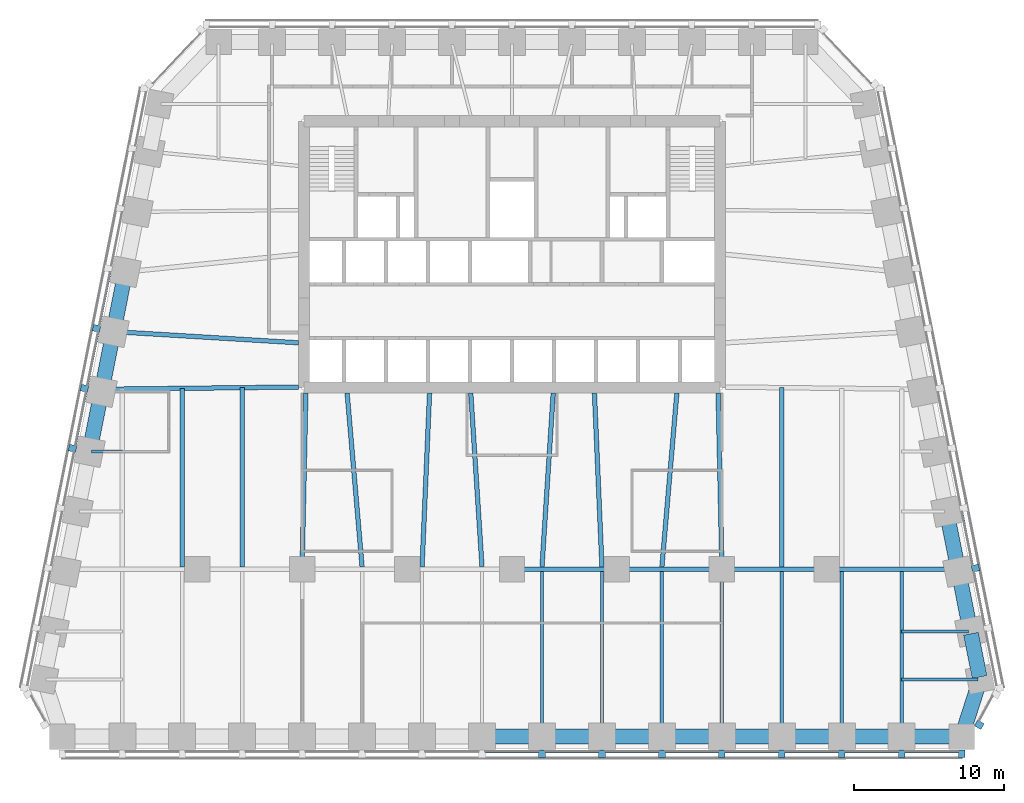
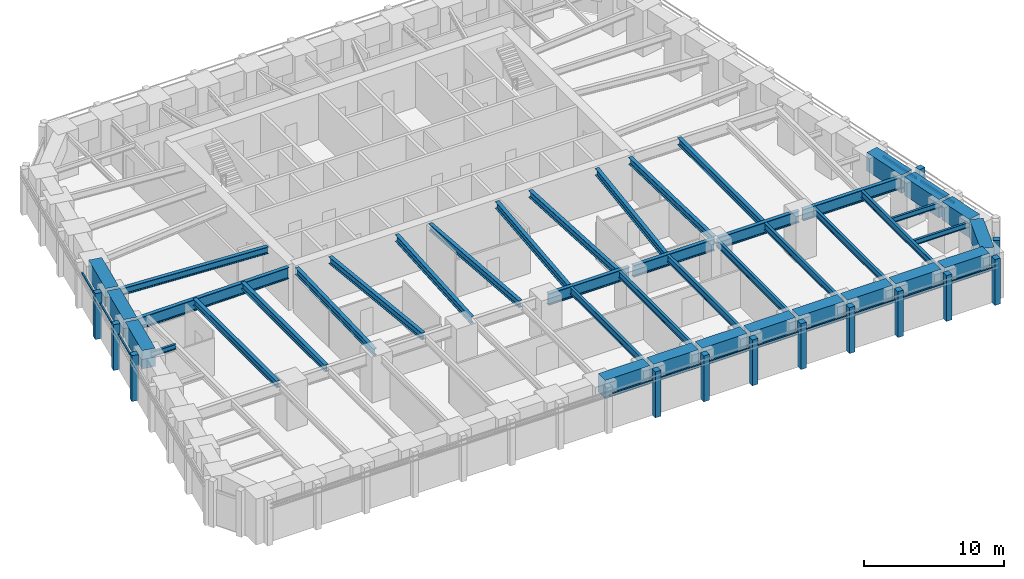
# One storey, part 2 of 9: 42 beams, 26 members, 4 elements without a shape of their own.
"""IFC4 building model written with IfcOpenShell, lengths in metres."""

from ifc_helpers import new_model, si_unit, direction, frame, origin, origin_2d, place, context, subcontext, project, spatial, rectangle, i_section, extrude, material, material_profile, profile_set, type_object, element, aggregate, save


model = new_model("IFC4")

# Units and contexts
model_context = context("Model", 3, precision=1e-05, world=origin(), true_north=direction((0.0, 1.0)))
body_context = subcontext(model_context, "Body", "Model", "MODEL_VIEW")
ifc_project = project(units=[si_unit("LENGTHUNIT", "METRE"), si_unit("AREAUNIT", "SQUARE_METRE"), si_unit("VOLUMEUNIT", "CUBIC_METRE"), si_unit("PLANEANGLEUNIT", "RADIAN"), si_unit("MASSUNIT", "GRAM", prefix="KILO")], contexts=[model_context])

# Site, building, storey
site_placement = place(None, origin())
site = spatial("IfcSite", under=ifc_project, at=site_placement, CompositionType="ELEMENT")
building_placement = place(site_placement, origin())
building = spatial("IfcBuilding", under=site, at=building_placement, Name="Isbrekke Arena Tower", CompositionType="ELEMENT")
storey_placement = place(building_placement, frame((0.0, 0.0, 131.0)))
storey = spatial("IfcBuildingStorey", under=building, at=storey_placement, Name="L29", CompositionType="ELEMENT", Elevation=131.0)

# Beams
ifc_material_1 = material(Name="Steel S355", Category="steel")
ifc_material_profile_1 = material_profile(ifc_material_1, i_section(OverallWidth=0.219970703125, OverallDepth=0.60009765625, WebThickness=0.011962890625, FlangeThickness=0.01904296875, FilletRadius=0.02392578125, at=origin_2d()), Name="IPE 600")
ifc_profile_set_1 = profile_set([ifc_material_profile_1], Name="Steel S355")
beam_type_1 = type_object("IfcBeamType", Name="B1 IPE 600", PredefinedType="BEAM", material=ifc_profile_set_1)
for number, where, z_axis, x_axis, name in (
    (1, (2.0, -17.02490234375, 3.550048828125), (0.0, 1.0, 0.0), (-1.0, 0.0, 0.0), "B1 beam S-S09 L29"),
    (2, (6.0, -17.02490234375, 3.550048828125), (0.0, 1.0, 0.0), (-1.0, 0.0, 0.0), "B1 beam S-S10 L29"),
    (3, (10.0, -17.02490234375, 3.550048828125), (0.0, 1.0, 0.0), (-1.0, 0.0, 0.0), "B1 beam S-S11 L29"),
):
    element("IfcBeam", number, at=place(storey_placement, frame(where, z_axis=z_axis, x_axis=x_axis)), inside=storey, type_object=beam_type_1, Name=name, PredefinedType="BEAM", context=body_context, shape_type="SweptSolid", body=[
        extrude(i_section(OverallWidth=0.219970703125, OverallDepth=0.60009765625, WebThickness=0.011962890625, FlangeThickness=0.01904296875, FilletRadius=0.02392578125, at=origin_2d()), origin(), (0.0, 0.0, 1.0), 10.8740234375),
    ])
beam_1_placement = place(storey_placement, frame((14.0, -17.02490234375, 3.550048828125), z_axis=(0.0, 1.0, 0.0), x_axis=(-1.0, 0.0, 0.0)))
element("IfcBeam", 4, at=beam_1_placement, inside=storey, type_object=beam_type_1, Name="B1 beam S-S12 L29", PredefinedType="BEAM", context=body_context, shape_type="SweptSolid", body=[
    extrude(i_section(OverallWidth=0.219970703125, OverallDepth=0.60009765625, WebThickness=0.011962890625, FlangeThickness=0.01904296875, FilletRadius=0.02392578125, at=origin_2d()), origin(), (0.0, 0.0, 1.0), 10.875),
])
for number, where, z_axis, x_axis, name in (
    (5, (18.0, -17.02490234375, 3.550048828125), (0.0, 1.0, 0.0), (-1.0, 0.0, 0.0), "B1 beam S-S13 L29"),
    (6, (22.0, -17.02490234375, 3.550048828125), (0.0, 1.0, 0.0), (-1.0, 0.0, 0.0), "B1 beam S-S14 L29"),
    (7, (26.0, -17.02490234375, 3.550048828125), (0.0, 1.0, 0.0), (-1.0, 0.0, 0.0), "B1 beam S-S15 L29"),
):
    element("IfcBeam", number, at=place(storey_placement, frame(where, z_axis=z_axis, x_axis=x_axis)), inside=storey, type_object=beam_type_1, Name=name, PredefinedType="BEAM", context=body_context, shape_type="SweptSolid", body=[
        extrude(i_section(OverallWidth=0.219970703125, OverallDepth=0.60009765625, WebThickness=0.011962890625, FlangeThickness=0.01904296875, FilletRadius=0.02392578125, at=origin_2d()), origin(), (0.0, 0.0, 1.0), 10.8740234375),
    ])
ifc_material_2 = material(Name="Steel S355", Category="steel")
ifc_material_profile_2 = material_profile(ifc_material_2, i_section(OverallWidth=0.18994140625, OverallDepth=0.449951171875, WebThickness=0.009521484375, FlangeThickness=0.0146484375, FilletRadius=0.02099609375, at=origin_2d()), Name="IPE 450")
ifc_profile_set_2 = profile_set([ifc_material_profile_2], Name="Steel S355")
beam_type_2 = type_object("IfcBeamType", Name="B2 IPE 450", PredefinedType="BEAM", material=ifc_profile_set_2)
beam_2_placement = place(storey_placement, frame((31.079345703125, -13.352783203125, 3.625), z_axis=(-1.0, 0.0, 0.0), x_axis=(0.0, -1.0, 0.0)))
element("IfcBeam", 8, at=beam_2_placement, inside=storey, type_object=beam_type_2, Name="B2 beam E-E01 L29", PredefinedType="BEAM", context=body_context, shape_type="SweptSolid", body=[
    extrude(i_section(OverallWidth=0.18994140625, OverallDepth=0.449951171875, WebThickness=0.009521484375, FlangeThickness=0.0146484375, FilletRadius=0.02099609375, at=origin_2d()), origin(), (0.0, 0.0, 1.0), 5.079345703125),
])
beam_3_placement = place(storey_placement, frame((30.44091796875, -10.161865234375, 3.625), z_axis=(-1.0, 0.0, 0.0), x_axis=(0.0, -1.0, 0.0)))
element("IfcBeam", 9, at=beam_3_placement, inside=storey, type_object=beam_type_2, Name="B2 beam E-E02 L29", PredefinedType="BEAM", context=body_context, shape_type="SweptSolid", body=[
    extrude(i_section(OverallWidth=0.18994140625, OverallDepth=0.449951171875, WebThickness=0.009521484375, FlangeThickness=0.0146484375, FilletRadius=0.02099609375, at=origin_2d()), origin(), (0.0, 0.0, 1.0), 4.44091796875),
])
beam_4_placement = place(storey_placement, frame((-28.041015625, 1.838134765625, 3.625), z_axis=(1.0, 0.0, 0.0), x_axis=(0.0, 1.0, 0.0)))
element("IfcBeam", 10, at=beam_4_placement, inside=storey, type_object=beam_type_2, Name="B2 beam E-W07 L29", PredefinedType="BEAM", context=body_context, shape_type="SweptSolid", body=[
    extrude(i_section(OverallWidth=0.18994140625, OverallDepth=0.449951171875, WebThickness=0.009521484375, FlangeThickness=0.0146484375, FilletRadius=0.02099609375, at=origin_2d()), origin(), (0.0, 0.0, 1.0), 2.041015625),
])
ifc_material_3 = material(Name="Steel S355", Category="steel")
ifc_material_profile_3 = material_profile(ifc_material_3, i_section(OverallWidth=0.300048828125, OverallDepth=0.60009765625, WebThickness=0.015380859375, FlangeThickness=0.030029296875, FilletRadius=0.027099609375, at=origin_2d()), Name="HEB 600")
ifc_profile_set_3 = profile_set([ifc_material_profile_3], Name="Steel S355")
beam_type_3 = type_object("IfcBeamType", Name="B7 HEB 600", PredefinedType="BEAM", material=ifc_profile_set_3)
beam_5_placement = place(storey_placement, frame((-22.0, -5.84912109375, 3.550048828125), z_axis=(0.0, 1.0, 0.0), x_axis=(-1.0, 0.0, 0.0)))
element("IfcBeam", 11, at=beam_5_placement, inside=storey, type_object=beam_type_3, Name="B7 beam C-M02 L29", PredefinedType="BEAM", context=body_context, shape_type="SweptSolid", body=[
    extrude(i_section(OverallWidth=0.300048828125, OverallDepth=0.60009765625, WebThickness=0.015380859375, FlangeThickness=0.030029296875, FilletRadius=0.027099609375, at=origin_2d()), origin(), (0.0, 0.0, 1.0), 11.91064453125),
])
beam_6_placement = place(storey_placement, frame((-18.0, -5.84912109375, 3.550048828125), z_axis=(0.0, 1.0, 0.0), x_axis=(-1.0, 0.0, 0.0)))
element("IfcBeam", 12, at=beam_6_placement, inside=storey, type_object=beam_type_3, Name="B7 beam C-M03 L29", PredefinedType="BEAM", context=body_context, shape_type="SweptSolid", body=[
    extrude(i_section(OverallWidth=0.300048828125, OverallDepth=0.60009765625, WebThickness=0.015380859375, FlangeThickness=0.030029296875, FilletRadius=0.027099609375, at=origin_2d()), origin(), (0.0, 0.0, 1.0), 11.956298828125),
])
beam_7_placement = place(storey_placement, frame((-14.0, -5.8466796875, 3.550048828125), z_axis=(0.021552887044, 0.999767709551, 0.0), x_axis=(-0.999767709551, 0.021552887044, 0.0)))
element("IfcBeam", 13, at=beam_7_placement, inside=storey, type_object=beam_type_3, Name="B7 beam C-M04 L29", PredefinedType="BEAM", context=body_context, shape_type="SweptSolid", body=[
    extrude(i_section(OverallWidth=0.300048828125, OverallDepth=0.60009765625, WebThickness=0.015380859375, FlangeThickness=0.030029296875, FilletRadius=0.027099609375, at=origin_2d()), origin(), (0.0, 0.0, 1.0), 11.599365234375),
])
beam_8_placement = place(storey_placement, frame((-10.001220703125, -5.836181640625, 3.550048828125), z_axis=(-0.085885827104, 0.996304985786, 0.0), x_axis=(-0.996304985786, -0.085885827104, 0.0)))
element("IfcBeam", 14, at=beam_8_placement, inside=storey, type_object=beam_type_3, Name="B7 beam C-M05 L29", PredefinedType="BEAM", context=body_context, shape_type="SweptSolid", body=[
    extrude(i_section(OverallWidth=0.300048828125, OverallDepth=0.60009765625, WebThickness=0.015380859375, FlangeThickness=0.030029296875, FilletRadius=0.027099609375, at=origin_2d()), origin(), (0.0, 0.0, 1.0), 11.629150390625),
])
beam_9_placement = place(storey_placement, frame((-5.999755859375, -5.842529296875, 3.550048828125), z_axis=(0.043070161667, 0.999072050041, 0.0), x_axis=(-0.999072050041, 0.043070161667, 0.0)))
element("IfcBeam", 15, at=beam_9_placement, inside=storey, type_object=beam_type_3, Name="B7 beam C-M06 L29", PredefinedType="BEAM", context=body_context, shape_type="SweptSolid", body=[
    extrude(i_section(OverallWidth=0.300048828125, OverallDepth=0.60009765625, WebThickness=0.015380859375, FlangeThickness=0.030029296875, FilletRadius=0.027099609375, at=origin_2d()), origin(), (0.0, 0.0, 1.0), 11.603271484375),
])
for number, where, z_axis, x_axis, name in (
    (16, (-2.000732421875, -5.83935546875, 3.550048828125), (-0.064516666031, 0.997916629686, 0.0), (-0.997916629686, -0.064516666031, 0.0), "B7 beam C-M07 L29"),
    (17, (2.000732421875, -5.83935546875, 3.550048828125), (0.064516666031, 0.997916629686, 0.0), (-0.997916629686, 0.064516666031, 0.0), "B7 beam C-M08 L29"),
):
    element("IfcBeam", number, at=place(storey_placement, frame(where, z_axis=z_axis, x_axis=x_axis)), inside=storey, type_object=beam_type_3, Name=name, PredefinedType="BEAM", context=body_context, shape_type="SweptSolid", body=[
        extrude(i_section(OverallWidth=0.300048828125, OverallDepth=0.60009765625, WebThickness=0.015380859375, FlangeThickness=0.030029296875, FilletRadius=0.027099609375, at=origin_2d()), origin(), (0.0, 0.0, 1.0), 11.613525390625),
    ])
beam_10_placement = place(storey_placement, frame((5.999755859375, -5.842529296875, 3.550048828125), z_axis=(-0.043070161667, 0.999072050041, 0.0), x_axis=(-0.999072050041, -0.043070161667, 0.0)))
element("IfcBeam", 18, at=beam_10_placement, inside=storey, type_object=beam_type_3, Name="B7 beam C-M09 L29", PredefinedType="BEAM", context=body_context, shape_type="SweptSolid", body=[
    extrude(i_section(OverallWidth=0.300048828125, OverallDepth=0.60009765625, WebThickness=0.015380859375, FlangeThickness=0.030029296875, FilletRadius=0.027099609375, at=origin_2d()), origin(), (0.0, 0.0, 1.0), 11.603271484375),
])
beam_11_placement = place(storey_placement, frame((10.001220703125, -5.836181640625, 3.550048828125), z_axis=(0.085885827104, 0.996304985786, 0.0), x_axis=(-0.996304985786, 0.085885827104, 0.0)))
element("IfcBeam", 19, at=beam_11_placement, inside=storey, type_object=beam_type_3, Name="B7 beam C-M10 L29", PredefinedType="BEAM", context=body_context, shape_type="SweptSolid", body=[
    extrude(i_section(OverallWidth=0.300048828125, OverallDepth=0.60009765625, WebThickness=0.015380859375, FlangeThickness=0.030029296875, FilletRadius=0.027099609375, at=origin_2d()), origin(), (0.0, 0.0, 1.0), 11.629150390625),
])
beam_12_placement = place(storey_placement, frame((14.0, -5.8466796875, 3.550048828125), z_axis=(-0.021552887044, 0.999767709551, 0.0), x_axis=(-0.999767709551, -0.021552887044, 0.0)))
element("IfcBeam", 20, at=beam_12_placement, inside=storey, type_object=beam_type_3, Name="B7 beam C-M11 L29", PredefinedType="BEAM", context=body_context, shape_type="SweptSolid", body=[
    extrude(i_section(OverallWidth=0.300048828125, OverallDepth=0.60009765625, WebThickness=0.015380859375, FlangeThickness=0.030029296875, FilletRadius=0.027099609375, at=origin_2d()), origin(), (0.0, 0.0, 1.0), 11.599365234375),
])
beam_13_placement = place(storey_placement, frame((18.0, -5.84912109375, 3.550048828125), z_axis=(0.0, 1.0, 0.0), x_axis=(-1.0, 0.0, 0.0)))
element("IfcBeam", 21, at=beam_13_placement, inside=storey, type_object=beam_type_3, Name="B7 beam C-M12 L29", PredefinedType="BEAM", context=body_context, shape_type="SweptSolid", body=[
    extrude(i_section(OverallWidth=0.300048828125, OverallDepth=0.60009765625, WebThickness=0.015380859375, FlangeThickness=0.030029296875, FilletRadius=0.027099609375, at=origin_2d()), origin(), (0.0, 0.0, 1.0), 11.956298828125),
])
beam_14_placement = place(storey_placement, frame((-26.431884765625, 9.837646484375, 3.550048828125), z_axis=(0.998172191876, -0.060434057993, 0.0), x_axis=(0.060434057993, 0.998172191876, 0.0)))
element("IfcBeam", 22, at=beam_14_placement, inside=storey, type_object=beam_type_3, Name="B7 beam E-W05 L29", PredefinedType="BEAM", context=body_context, shape_type="SweptSolid", body=[
    extrude(i_section(OverallWidth=0.300048828125, OverallDepth=0.60009765625, WebThickness=0.015380859375, FlangeThickness=0.030029296875, FilletRadius=0.027099609375, at=origin_2d()), origin(), (0.0, 0.0, 1.0), 12.2041015625),
])

# Curtain wall, members
ifc_material_4 = material(Name="Glazed aluminium curtain wall", Category="aluminium")
curtain_wall_type = type_object("IfcCurtainWallType", Name="CWM TOWER CURTAIN WALL MID ZONE", PredefinedType="USERDEFINED", material=ifc_material_4)
curtain_wall_1_placement = place(storey_placement, origin())
curtain_wall_1 = element("IfcCurtainWall", 23, at=curtain_wall_1_placement, inside=storey, type_object=curtain_wall_type, Name="CWM curtain wall L29-S", ObjectType="TOWER CURTAIN WALL MID ZONE", PredefinedType="USERDEFINED")
ifc_material_5 = material(Name="Aluminium mullion, pale brick slip cladding", Category="masonry")
ifc_material_profile_4 = material_profile(ifc_material_5, rectangle(XDim=0.449951171875, YDim=0.5, at=origin_2d()), Name="PIER 450X500")
ifc_profile_set_4 = profile_set([ifc_material_profile_4], Name="Aluminium mullion, pale brick slip cladding")
member_type_1 = type_object("IfcMemberType", Name="CWM-M PIER MULLION 450 x 500", PredefinedType="MULLION", material=ifc_profile_set_4)
member_1_placement = place(storey_placement, frame((2.0, -18.324951171875, 0.0), z_axis=(0.0, 0.0, 1.0), x_axis=(1.0, 0.0, 0.0)))
member_1 = element("IfcMember", 24, at=member_1_placement, type_object=member_type_1, Name="CWM-M mullion 9", PredefinedType="MULLION", context=body_context, shape_type="SweptSolid", body=[
    extrude(rectangle(XDim=0.449951171875, YDim=0.5, at=origin_2d()), origin(), (0.0, 0.0, 1.0), 4.0),
])
member_2_placement = place(storey_placement, frame((6.0, -18.324951171875, 0.0), z_axis=(0.0, 0.0, 1.0), x_axis=(1.0, 0.0, 0.0)))
member_2 = element("IfcMember", 25, at=member_2_placement, type_object=member_type_1, Name="CWM-M mullion 10", PredefinedType="MULLION", context=body_context, shape_type="SweptSolid", body=[
    extrude(rectangle(XDim=0.449951171875, YDim=0.5, at=origin_2d()), origin(), (0.0, 0.0, 1.0), 4.0),
])
member_3_placement = place(storey_placement, frame((10.0, -18.324951171875, 0.0), z_axis=(0.0, 0.0, 1.0), x_axis=(1.0, 0.0, 0.0)))
member_3 = element("IfcMember", 26, at=member_3_placement, type_object=member_type_1, Name="CWM-M mullion 11", PredefinedType="MULLION", context=body_context, shape_type="SweptSolid", body=[
    extrude(rectangle(XDim=0.449951171875, YDim=0.5, at=origin_2d()), origin(), (0.0, 0.0, 1.0), 4.0),
])
member_4_placement = place(storey_placement, frame((14.0, -18.324951171875, 0.0), z_axis=(0.0, 0.0, 1.0), x_axis=(1.0, 0.0, 0.0)))
member_4 = element("IfcMember", 27, at=member_4_placement, type_object=member_type_1, Name="CWM-M mullion 12", PredefinedType="MULLION", context=body_context, shape_type="SweptSolid", body=[
    extrude(rectangle(XDim=0.449951171875, YDim=0.5, at=origin_2d()), origin(), (0.0, 0.0, 1.0), 4.0),
])
member_5_placement = place(storey_placement, frame((18.0, -18.324951171875, 0.0), z_axis=(0.0, 0.0, 1.0), x_axis=(1.0, 0.0, 0.0)))
member_5 = element("IfcMember", 28, at=member_5_placement, type_object=member_type_1, Name="CWM-M mullion 13", PredefinedType="MULLION", context=body_context, shape_type="SweptSolid", body=[
    extrude(rectangle(XDim=0.449951171875, YDim=0.5, at=origin_2d()), origin(), (0.0, 0.0, 1.0), 4.0),
])
member_6_placement = place(storey_placement, frame((22.0, -18.324951171875, 0.0), z_axis=(0.0, 0.0, 1.0), x_axis=(1.0, 0.0, 0.0)))
member_6 = element("IfcMember", 29, at=member_6_placement, type_object=member_type_1, Name="CWM-M mullion 14", PredefinedType="MULLION", context=body_context, shape_type="SweptSolid", body=[
    extrude(rectangle(XDim=0.449951171875, YDim=0.5, at=origin_2d()), origin(), (0.0, 0.0, 1.0), 4.0),
])
member_7_placement = place(storey_placement, frame((26.0, -18.324951171875, 0.0), z_axis=(0.0, 0.0, 1.0), x_axis=(1.0, 0.0, 0.0)))
member_7 = element("IfcMember", 30, at=member_7_placement, type_object=member_type_1, Name="CWM-M mullion 15", PredefinedType="MULLION", context=body_context, shape_type="SweptSolid", body=[
    extrude(rectangle(XDim=0.449951171875, YDim=0.5, at=origin_2d()), origin(), (0.0, 0.0, 1.0), 4.0),
])
member_8_placement = place(storey_placement, frame((30.0, -18.324951171875, 0.0), z_axis=(0.0, 0.0, 1.0), x_axis=(1.0, 0.0, 0.0)))
member_8 = element("IfcMember", 31, at=member_8_placement, type_object=member_type_1, Name="CWM-M mullion 16", PredefinedType="MULLION", context=body_context, shape_type="SweptSolid", body=[
    extrude(rectangle(XDim=0.449951171875, YDim=0.5, at=origin_2d()), origin(), (0.0, 0.0, 1.0), 4.0),
])

# Curtain wall, member
curtain_wall_2_placement = place(storey_placement, origin())
curtain_wall_2 = element("IfcCurtainWall", 32, at=curtain_wall_2_placement, inside=storey, type_object=curtain_wall_type, Name="CWM curtain wall L29-SE", ObjectType="TOWER CURTAIN WALL MID ZONE", PredefinedType="USERDEFINED")
member_9_placement = place(storey_placement, frame((31.17529296875, -16.382080078125, 0.0), z_axis=(0.0, 0.0, 1.0), x_axis=(0.481918749773, 0.876215908676, 0.0)))
member_9 = element("IfcMember", 33, at=member_9_placement, type_object=member_type_1, Name="CWM-M mullion 1", PredefinedType="MULLION", context=body_context, shape_type="SweptSolid", body=[
    extrude(rectangle(XDim=0.449951171875, YDim=0.5, at=origin_2d()), origin(), (0.0, 0.0, 1.0), 4.0),
])
aggregate(curtain_wall_2, [member_9])

curtain_wall_3_placement = place(storey_placement, origin())
curtain_wall_3 = element("IfcCurtainWall", 34, at=curtain_wall_3_placement, inside=storey, type_object=curtain_wall_type, Name="CWM curtain wall L29-E", ObjectType="TOWER CURTAIN WALL MID ZONE", PredefinedType="USERDEFINED")
member_10_placement = place(storey_placement, frame((30.918701171875, -5.936279296875, 0.0), z_axis=(0.0, 0.0, 1.0), x_axis=(-0.196116135138, 0.980580675691, 0.0)))
member_10 = element("IfcMember", 35, at=member_10_placement, type_object=member_type_1, Name="CWM-M mullion 3", PredefinedType="MULLION", context=body_context, shape_type="SweptSolid", body=[
    extrude(rectangle(XDim=0.449951171875, YDim=0.5, at=origin_2d()), origin(), (0.0, 0.0, 1.0), 4.0),
])

# Curtain wall, members
curtain_wall_4_placement = place(storey_placement, origin())
curtain_wall_4 = element("IfcCurtainWall", 36, at=curtain_wall_4_placement, inside=storey, type_object=curtain_wall_type, Name="CWM curtain wall L29-W", ObjectType="TOWER CURTAIN WALL MID ZONE", PredefinedType="USERDEFINED")
member_11_placement = place(storey_placement, frame((-27.71875, 10.063720703125, 0.0), z_axis=(0.0, 0.0, 1.0), x_axis=(-0.196116135138, -0.980580675691, 0.0)))
member_11 = element("IfcMember", 37, at=member_11_placement, type_object=member_type_1, Name="CWM-M mullion 5", PredefinedType="MULLION", context=body_context, shape_type="SweptSolid", body=[
    extrude(rectangle(XDim=0.449951171875, YDim=0.5, at=origin_2d()), origin(), (0.0, 0.0, 1.0), 4.0),
])
member_12_placement = place(storey_placement, frame((-28.518798828125, 6.063720703125, 0.0), z_axis=(0.0, 0.0, 1.0), x_axis=(-0.196116135138, -0.980580675691, 0.0)))
member_12 = element("IfcMember", 38, at=member_12_placement, type_object=member_type_1, Name="CWM-M mullion 6", PredefinedType="MULLION", context=body_context, shape_type="SweptSolid", body=[
    extrude(rectangle(XDim=0.449951171875, YDim=0.5, at=origin_2d()), origin(), (0.0, 0.0, 1.0), 4.0),
])
member_13_placement = place(storey_placement, frame((-29.318603515625, 2.063720703125, 0.0), z_axis=(0.0, 0.0, 1.0), x_axis=(-0.196116135138, -0.980580675691, 0.0)))
member_13 = element("IfcMember", 39, at=member_13_placement, type_object=member_type_1, Name="CWM-M mullion 7", PredefinedType="MULLION", context=body_context, shape_type="SweptSolid", body=[
    extrude(rectangle(XDim=0.449951171875, YDim=0.5, at=origin_2d()), origin(), (0.0, 0.0, 1.0), 4.0),
])

# Member
ifc_material_6 = material(Name="Aluminium transom", Category="aluminium")
ifc_material_profile_5 = material_profile(ifc_material_6, rectangle(XDim=0.1201171875, YDim=0.199951171875, at=origin_2d()), Name="TRANSOM 120X200")
ifc_profile_set_5 = profile_set([ifc_material_profile_5], Name="Aluminium transom")
member_type_2 = type_object("IfcMemberType", Name="CWM-T TRANSOM 120 x 200", PredefinedType="USERDEFINED", material=ifc_profile_set_5)
member_14_placement = place(storey_placement, frame((-1.77490234375, -18.175048828125, 3.0), z_axis=(1.0, 0.0, 0.0), x_axis=(0.0, 1.0, 0.0)))
member_14 = element("IfcMember", 40, at=member_14_placement, type_object=member_type_2, Name="CWM-T transom 8", ObjectType="TRANSOM", PredefinedType="USERDEFINED", context=body_context, shape_type="SweptSolid", body=[
    extrude(rectangle(XDim=0.1201171875, YDim=0.199951171875, at=origin_2d()), origin(), (0.0, 0.0, 1.0), 3.5498046875),
])

member_15_placement = place(storey_placement, frame((2.22509765625, -18.175048828125, 3.0), z_axis=(1.0, 0.0, 0.0), x_axis=(0.0, 1.0, 0.0)))
member_15 = element("IfcMember", 41, at=member_15_placement, type_object=member_type_2, Name="CWM-T transom 9", ObjectType="TRANSOM", PredefinedType="USERDEFINED", context=body_context, shape_type="SweptSolid", body=[
    extrude(rectangle(XDim=0.1201171875, YDim=0.199951171875, at=origin_2d()), origin(), (0.0, 0.0, 1.0), 3.5498046875),
])

member_16_placement = place(storey_placement, frame((6.22509765625, -18.175048828125, 3.0), z_axis=(1.0, 0.0, 0.0), x_axis=(0.0, 1.0, 0.0)))
member_16 = element("IfcMember", 42, at=member_16_placement, type_object=member_type_2, Name="CWM-T transom 10", ObjectType="TRANSOM", PredefinedType="USERDEFINED", context=body_context, shape_type="SweptSolid", body=[
    extrude(rectangle(XDim=0.1201171875, YDim=0.199951171875, at=origin_2d()), origin(), (0.0, 0.0, 1.0), 3.5498046875),
])

member_17_placement = place(storey_placement, frame((10.22509765625, -18.175048828125, 3.0), z_axis=(1.0, 0.0, 0.0), x_axis=(0.0, 1.0, 0.0)))
member_17 = element("IfcMember", 43, at=member_17_placement, type_object=member_type_2, Name="CWM-T transom 11", ObjectType="TRANSOM", PredefinedType="USERDEFINED", context=body_context, shape_type="SweptSolid", body=[
    extrude(rectangle(XDim=0.1201171875, YDim=0.199951171875, at=origin_2d()), origin(), (0.0, 0.0, 1.0), 3.5498046875),
])

member_18_placement = place(storey_placement, frame((14.22509765625, -18.175048828125, 3.0), z_axis=(1.0, 0.0, 0.0), x_axis=(0.0, 1.0, 0.0)))
member_18 = element("IfcMember", 44, at=member_18_placement, type_object=member_type_2, Name="CWM-T transom 12", ObjectType="TRANSOM", PredefinedType="USERDEFINED", context=body_context, shape_type="SweptSolid", body=[
    extrude(rectangle(XDim=0.1201171875, YDim=0.199951171875, at=origin_2d()), origin(), (0.0, 0.0, 1.0), 3.5498046875),
])

member_19_placement = place(storey_placement, frame((18.22509765625, -18.175048828125, 3.0), z_axis=(1.0, 0.0, 0.0), x_axis=(0.0, 1.0, 0.0)))
member_19 = element("IfcMember", 45, at=member_19_placement, type_object=member_type_2, Name="CWM-T transom 13", ObjectType="TRANSOM", PredefinedType="USERDEFINED", context=body_context, shape_type="SweptSolid", body=[
    extrude(rectangle(XDim=0.1201171875, YDim=0.199951171875, at=origin_2d()), origin(), (0.0, 0.0, 1.0), 3.5498046875),
])

member_20_placement = place(storey_placement, frame((22.22509765625, -18.175048828125, 3.0), z_axis=(1.0, 0.0, 0.0), x_axis=(0.0, 1.0, 0.0)))
member_20 = element("IfcMember", 46, at=member_20_placement, type_object=member_type_2, Name="CWM-T transom 14", ObjectType="TRANSOM", PredefinedType="USERDEFINED", context=body_context, shape_type="SweptSolid", body=[
    extrude(rectangle(XDim=0.1201171875, YDim=0.199951171875, at=origin_2d()), origin(), (0.0, 0.0, 1.0), 3.5498046875),
])

member_21_placement = place(storey_placement, frame((26.22509765625, -18.175048828125, 3.0), z_axis=(1.0, 0.0, 0.0), x_axis=(0.0, 1.0, 0.0)))
member_21 = element("IfcMember", 47, at=member_21_placement, type_object=member_type_2, Name="CWM-T transom 15", ObjectType="TRANSOM", PredefinedType="USERDEFINED", context=body_context, shape_type="SweptSolid", body=[
    extrude(rectangle(XDim=0.1201171875, YDim=0.199951171875, at=origin_2d()), origin(), (0.0, 0.0, 1.0), 3.5498046875),
])

aggregate(curtain_wall_1, [member_1, member_2, member_3, member_4, member_5, member_6, member_7, member_8, member_14, member_15, member_16, member_17, member_18, member_19, member_20, member_21])

member_22_placement = place(storey_placement, frame((31.527587890625, -9.7451171875, 3.0), z_axis=(-0.196154943734, 0.980572913173, 0.0), x_axis=(-0.980572913173, -0.196154943734, 0.0)))
member_22 = element("IfcMember", 48, at=member_22_placement, type_object=member_type_2, Name="CWM-T transom 2", ObjectType="TRANSOM", PredefinedType="USERDEFINED", context=body_context, shape_type="SweptSolid", body=[
    extrude(rectangle(XDim=0.1201171875, YDim=0.199951171875, at=origin_2d()), origin(), (0.0, 0.0, 1.0), 3.62939453125),
])

member_23_placement = place(storey_placement, frame((30.7275390625, -5.7451171875, 3.0), z_axis=(-0.196154943734, 0.980572913173, 0.0), x_axis=(-0.980572913173, -0.196154943734, 0.0)))
member_23 = element("IfcMember", 49, at=member_23_placement, type_object=member_type_2, Name="CWM-T transom 3", ObjectType="TRANSOM", PredefinedType="USERDEFINED", context=body_context, shape_type="SweptSolid", body=[
    extrude(rectangle(XDim=0.1201171875, YDim=0.199951171875, at=origin_2d()), origin(), (0.0, 0.0, 1.0), 3.62939453125),
])

aggregate(curtain_wall_3, [member_10, member_22, member_23])

member_24_placement = place(storey_placement, frame((-26.815673828125, 13.813720703125, 3.0), z_axis=(-0.196154943734, -0.980572913173, 0.0), x_axis=(0.980572913173, -0.196154943734, 0.0)))
member_24 = element("IfcMember", 50, at=member_24_placement, type_object=member_type_2, Name="CWM-T transom 4", ObjectType="TRANSOM", PredefinedType="USERDEFINED", context=body_context, shape_type="SweptSolid", body=[
    extrude(rectangle(XDim=0.1201171875, YDim=0.199951171875, at=origin_2d()), origin(), (0.0, 0.0, 1.0), 3.62939453125),
])

member_25_placement = place(storey_placement, frame((-27.61572265625, 9.813720703125, 3.0), z_axis=(-0.196090262229, -0.980585849918, 0.0), x_axis=(0.980585849918, -0.196090262229, 0.0)))
member_25 = element("IfcMember", 51, at=member_25_placement, type_object=member_type_2, Name="CWM-T transom 5", ObjectType="TRANSOM", PredefinedType="USERDEFINED", context=body_context, shape_type="SweptSolid", body=[
    extrude(rectangle(XDim=0.1201171875, YDim=0.199951171875, at=origin_2d()), origin(), (0.0, 0.0, 1.0), 3.62939453125),
])

member_26_placement = place(storey_placement, frame((-28.415771484375, 5.813720703125, 3.0), z_axis=(-0.196090262229, -0.980585849918, 0.0), x_axis=(0.980585849918, -0.196090262229, 0.0)))
member_26 = element("IfcMember", 52, at=member_26_placement, type_object=member_type_2, Name="CWM-T transom 6", ObjectType="TRANSOM", PredefinedType="USERDEFINED", context=body_context, shape_type="SweptSolid", body=[
    extrude(rectangle(XDim=0.1201171875, YDim=0.199951171875, at=origin_2d()), origin(), (0.0, 0.0, 1.0), 3.62939453125),
])

aggregate(curtain_wall_4, [member_11, member_12, member_13, member_24, member_25, member_26])

# Beams
ifc_material_7 = material(Name="Steel S355", Category="steel")
ifc_material_profile_6 = material_profile(ifc_material_7, i_section(OverallWidth=0.302001953125, OverallDepth=1.008056640625, WebThickness=0.02099609375, FlangeThickness=0.0400390625, FilletRadius=0.030029296875, at=origin_2d()), Name="HEM 1000")
ifc_profile_set_6 = profile_set([ifc_material_profile_6], Name="Steel S355")
beam_type_4 = type_object("IfcBeamType", Name="G1 HEM 1000", PredefinedType="BEAM", material=ifc_profile_set_6)
for number, where, z_axis, x_axis, name in (
    (53, (0.14990234375, -6.0, 3.345947265625), (1.0, 0.0, 0.0), (0.0, 1.0, 0.0), "G1 beam G1-05 L29"),
    (54, (7.14990234375, -6.0, 3.345947265625), (1.0, 0.0, 0.0), (0.0, 1.0, 0.0), "G1 beam G1-06 L29"),
    (55, (14.14990234375, -6.0, 3.345947265625), (1.0, 0.0, 0.0), (0.0, 1.0, 0.0), "G1 beam G1-07 L29"),
):
    element("IfcBeam", number, at=place(storey_placement, frame(where, z_axis=z_axis, x_axis=x_axis)), inside=storey, type_object=beam_type_4, Name=name, PredefinedType="BEAM", context=body_context, shape_type="SweptSolid", body=[
        extrude(i_section(OverallWidth=0.302001953125, OverallDepth=1.008056640625, WebThickness=0.02099609375, FlangeThickness=0.0400390625, FilletRadius=0.030029296875, at=origin_2d()), origin(), (0.0, 0.0, 1.0), 6.7001953125),
    ])
beam_15_placement = place(storey_placement, frame((21.14990234375, -6.0, 3.345947265625), z_axis=(1.0, 0.0, 0.0), x_axis=(0.0, 1.0, 0.0)))
element("IfcBeam", 56, at=beam_15_placement, inside=storey, type_object=beam_type_4, Name="G1 beam G1-08 L29", PredefinedType="BEAM", context=body_context, shape_type="SweptSolid", body=[
    extrude(i_section(OverallWidth=0.302001953125, OverallDepth=1.008056640625, WebThickness=0.02099609375, FlangeThickness=0.0400390625, FilletRadius=0.030029296875, at=origin_2d()), origin(), (0.0, 0.0, 1.0), 8.64111328125),
])
ifc_material_8 = material(Name="Steel S355", Category="steel")
ifc_material_profile_7 = material_profile(ifc_material_8, i_section(OverallWidth=0.302001953125, OverallDepth=1.008056640625, WebThickness=0.02099609375, FlangeThickness=0.0400390625, FilletRadius=0.030029296875, at=origin_2d()), Name="HEM 1000")
ifc_profile_set_7 = profile_set([ifc_material_profile_7], Name="Steel S355")
beam_type_5 = type_object("IfcBeamType", Name="G2 HEM 1000", PredefinedType="BEAM", material=ifc_profile_set_7)
beam_16_placement = place(storey_placement, frame((-14.25, 6.14990234375, 3.345947265625), z_axis=(-0.999934928157, -0.011407867963, 0.0), x_axis=(0.011407867963, -0.999934928157, 0.0)))
element("IfcBeam", 57, at=beam_16_placement, inside=storey, type_object=beam_type_5, Name="G2 beam G2-W L29", PredefinedType="BEAM", context=body_context, shape_type="SweptSolid", body=[
    extrude(i_section(OverallWidth=0.302001953125, OverallDepth=1.008056640625, WebThickness=0.02099609375, FlangeThickness=0.0400390625, FilletRadius=0.030029296875, at=origin_2d()), origin(), (0.0, 0.0, 1.0), 13.140380859375),
])
ifc_material_9 = material(Name="Concrete B80 (C80/95)", Category="concrete")
ifc_material_profile_8 = material_profile(ifc_material_9, rectangle(XDim=1.0, YDim=1.60009765625, at=origin_2d()), Name="RC 1000x1600")
ifc_profile_set_8 = profile_set([ifc_material_profile_8], Name="Concrete B80 (C80/95)")
beam_type_6 = type_object("IfcBeamType", Name="SB2 RC 1000 x 1600", PredefinedType="SPANDREL", material=ifc_profile_set_8)
for number, where, z_axis, x_axis, name in (
    (58, (-1.85009765625, -17.175048828125, 3.199951171875), (1.0, 0.0, 0.0), (0.0, 1.0, 0.0), "SB2 spandrel S08-S09 L29"),
    (59, (2.14990234375, -17.175048828125, 3.199951171875), (1.0, 0.0, 0.0), (0.0, 1.0, 0.0), "SB2 spandrel S09-S10 L29"),
    (60, (6.14990234375, -17.175048828125, 3.199951171875), (1.0, 0.0, 0.0), (0.0, 1.0, 0.0), "SB2 spandrel S10-S11 L29"),
    (61, (10.14990234375, -17.175048828125, 3.199951171875), (1.0, 0.0, 0.0), (0.0, 1.0, 0.0), "SB2 spandrel S11-S12 L29"),
    (62, (14.14990234375, -17.175048828125, 3.199951171875), (1.0, 0.0, 0.0), (0.0, 1.0, 0.0), "SB2 spandrel S12-S13 L29"),
    (63, (18.14990234375, -17.175048828125, 3.199951171875), (1.0, 0.0, 0.0), (0.0, 1.0, 0.0), "SB2 spandrel S13-S14 L29"),
    (64, (22.14990234375, -17.175048828125, 3.199951171875), (1.0, 0.0, 0.0), (0.0, 1.0, 0.0), "SB2 spandrel S14-S15 L29"),
    (65, (26.14990234375, -17.175048828125, 3.199951171875), (1.0, 0.0, 0.0), (0.0, 1.0, 0.0), "SB2 spandrel S15-S16 L29"),
):
    element("IfcBeam", number, at=place(storey_placement, frame(where, z_axis=z_axis, x_axis=x_axis)), inside=storey, type_object=beam_type_6, Name=name, PredefinedType="SPANDREL", context=body_context, shape_type="SweptSolid", body=[
        extrude(rectangle(XDim=1.0, YDim=1.60009765625, at=origin_2d()), origin(), (0.0, 0.0, 1.0), 3.7001953125),
    ])
beam_17_placement = place(storey_placement, frame((30.0458984375, -17.0322265625, 3.199951171875), z_axis=(0.306175101476, 0.951975213562, 0.0), x_axis=(-0.951975213562, 0.306175101476, 0.0)))
element("IfcBeam", 66, at=beam_17_placement, inside=storey, type_object=beam_type_6, Name="SB2 spandrel S16-E01 L29", PredefinedType="SPANDREL", context=body_context, shape_type="SweptSolid", body=[
    extrude(rectangle(XDim=1.0, YDim=1.60009765625, at=origin_2d()), origin(), (0.0, 0.0, 1.0), 3.715087890625),
])
beam_18_placement = place(storey_placement, frame((31.19970703125, -13.205810546875, 3.199951171875), z_axis=(-0.196100243168, 0.980583853951, 0.0), x_axis=(-0.980583853951, -0.196100243168, 0.0)))
element("IfcBeam", 67, at=beam_18_placement, inside=storey, type_object=beam_type_6, Name="SB2 spandrel E01-E02 L29", PredefinedType="SPANDREL", context=body_context, shape_type="SweptSolid", body=[
    extrude(rectangle(XDim=1.0, YDim=1.60009765625, at=origin_2d()), origin(), (0.0, 0.0, 1.0), 2.954345703125),
])
beam_19_placement = place(storey_placement, frame((30.5615234375, -10.0146484375, 3.199951171875), z_axis=(-0.1960664412, 0.980590613169, 0.0), x_axis=(-0.980590613169, -0.1960664412, 0.0)))
element("IfcBeam", 68, at=beam_19_placement, inside=storey, type_object=beam_type_6, Name="SB2 spandrel E02-E03 L29", PredefinedType="SPANDREL", context=body_context, shape_type="SweptSolid", body=[
    extrude(rectangle(XDim=1.0, YDim=1.60009765625, at=origin_2d()), origin(), (0.0, 0.0, 1.0), 3.779052734375),
])
beam_20_placement = place(storey_placement, frame((29.76171875, -6.0146484375, 3.199951171875), z_axis=(-0.196128558387, 0.980578190959, 0.0), x_axis=(-0.980578190959, -0.196128558387, 0.0)))
element("IfcBeam", 69, at=beam_20_placement, inside=storey, type_object=beam_type_6, Name="SB2 spandrel E03-E04 L29", PredefinedType="SPANDREL", context=body_context, shape_type="SweptSolid", body=[
    extrude(rectangle(XDim=1.0, YDim=1.60009765625, at=origin_2d()), origin(), (0.0, 0.0, 1.0), 3.779296875),
])
beam_21_placement = place(storey_placement, frame((-25.820556640625, 13.691162109375, 3.199951171875), z_axis=(-0.1960664412, -0.980590613169, 0.0), x_axis=(0.980590613169, -0.1960664412, 0.0)))
element("IfcBeam", 70, at=beam_21_placement, inside=storey, type_object=beam_type_6, Name="SB2 spandrel W04-W05 L29", PredefinedType="SPANDREL", context=body_context, shape_type="SweptSolid", body=[
    extrude(rectangle(XDim=1.0, YDim=1.60009765625, at=origin_2d()), origin(), (0.0, 0.0, 1.0), 3.779052734375),
])
for number, where, z_axis, x_axis, name in (
    (71, (-26.620361328125, 9.691162109375, 3.199951171875), (-0.196128558387, -0.980578190959, 0.0), (0.980578190959, -0.196128558387, 0.0), "SB2 spandrel W05-W06 L29"),
    (72, (-27.42041015625, 5.691162109375, 3.199951171875), (-0.196128558387, -0.980578190959, 0.0), (0.980578190959, -0.196128558387, 0.0), "SB2 spandrel W06-W07 L29"),
):
    element("IfcBeam", number, at=place(storey_placement, frame(where, z_axis=z_axis, x_axis=x_axis)), inside=storey, type_object=beam_type_6, Name=name, PredefinedType="SPANDREL", context=body_context, shape_type="SweptSolid", body=[
        extrude(rectangle(XDim=1.0, YDim=1.60009765625, at=origin_2d()), origin(), (0.0, 0.0, 1.0), 3.779296875),
    ])

save(model, "model.ifc")
